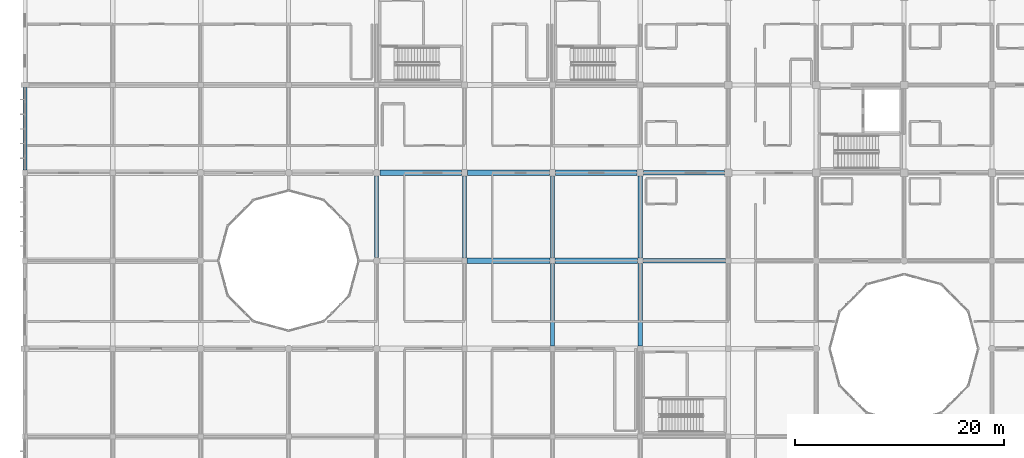
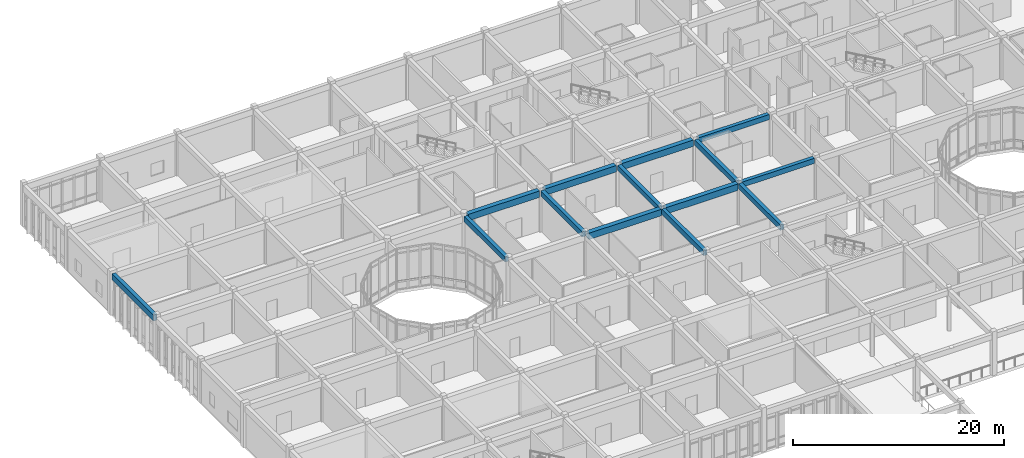
# One storey, part 38 of 134: 14 beams.
"""IFC4 building model written with IfcOpenShell, lengths in metres."""

from ifc_helpers import new_model, si_unit, direction, frame, origin, origin_2d, place, context, subcontext, project, spatial, rectangle, extrude, material, material_profile, profile_set, type_object, element, save


model = new_model("IFC4")

# Units and contexts
model_context = context("Model", 3, precision=1e-05, world=origin(), true_north=direction((0.0, 1.0)))
body_context = subcontext(model_context, "Body", "Model", "MODEL_VIEW")
ifc_project = project(units=[si_unit("LENGTHUNIT", "METRE"), si_unit("AREAUNIT", "SQUARE_METRE"), si_unit("VOLUMEUNIT", "CUBIC_METRE"), si_unit("PLANEANGLEUNIT", "RADIAN"), si_unit("MASSUNIT", "GRAM", prefix="KILO")], contexts=[model_context])

# Site, building, storey
site_placement = place(None, origin())
site = spatial("IfcSite", under=ifc_project, at=site_placement, CompositionType="ELEMENT")
building_placement = place(site_placement, origin())
building = spatial("IfcBuilding", under=site, at=building_placement, Name="Bramfleet General Hospital", CompositionType="ELEMENT")
storey_placement = place(building_placement, frame((0.0, 0.0, 9.300048828125)))
storey = spatial("IfcBuildingStorey", under=building, at=storey_placement, Name="L02", CompositionType="ELEMENT", Elevation=9.300048828125)

# Beams
ifc_material = material(Name="Concrete C35/45", Category="concrete")
ifc_material_profile_1 = material_profile(ifc_material, rectangle(XDim=0.39990234375, YDim=0.60009765625, at=origin_2d()), Name="RC BM 600x400")
ifc_profile_set_1 = profile_set([ifc_material_profile_1], Name="Concrete C35/45")
beam_type_1 = type_object("IfcBeamType", Name="BM-RC600", PredefinedType="BEAM", material=ifc_profile_set_1)
beam_1_placement = place(storey_placement, frame((59.050048828125, 84.0, 4.47998046875), z_axis=(1.0, 0.0, 0.0), x_axis=(0.0, 1.0, 0.0)))
element("IfcBeam", 1, at=beam_1_placement, inside=storey, type_object=beam_type_1, Name="L02 Grid Beam X 07-10", PredefinedType="BEAM", context=body_context, shape_type="SweptSolid", body=[
    extrude(rectangle(XDim=0.39990234375, YDim=0.60009765625, at=origin_2d()), origin(), (0.0, 0.0, 1.0), 7.89990234375),
])
for number, where, z_axis, x_axis, name in (
    (2, (59.10009765625, 92.39990234375, 4.47998046875), (1.0, 0.0, 0.0), (0.0, 1.0, 0.0), "L02 Grid Beam X 07-11"),
    (3, (33.60009765625, 84.324951171875, 4.47998046875), (0.0, 1.0, 0.0), (-1.0, 0.0, 0.0), "L02 Grid Beam Y 04-10"),
):
    element("IfcBeam", number, at=place(storey_placement, frame(where, z_axis=z_axis, x_axis=x_axis)), inside=storey, type_object=beam_type_1, Name=name, PredefinedType="BEAM", context=body_context, shape_type="SweptSolid", body=[
        extrude(rectangle(XDim=0.39990234375, YDim=0.60009765625, at=origin_2d()), origin(), (0.0, 0.0, 1.0), 7.75),
    ])
beam_2_placement = place(storey_placement, frame((42.0, 84.25, 4.47998046875), z_axis=(0.0, 1.0, 0.0), x_axis=(-1.0, 0.0, 0.0)))
element("IfcBeam", 4, at=beam_2_placement, inside=storey, type_object=beam_type_1, Name="L02 Grid Beam Y 05-10", PredefinedType="BEAM", context=body_context, shape_type="SweptSolid", body=[
    extrude(rectangle(XDim=0.39990234375, YDim=0.60009765625, at=origin_2d()), origin(), (0.0, 0.0, 1.0), 7.85009765625),
])
beam_3_placement = place(storey_placement, frame((50.39990234375, 75.85009765625, 4.47998046875), z_axis=(0.0, 1.0, 0.0), x_axis=(-1.0, 0.0, 0.0)))
element("IfcBeam", 5, at=beam_3_placement, inside=storey, type_object=beam_type_1, Name="L02 Grid Beam Y 06-09", PredefinedType="BEAM", context=body_context, shape_type="SweptSolid", body=[
    extrude(rectangle(XDim=0.39990234375, YDim=0.60009765625, at=origin_2d()), origin(), (0.0, 0.0, 1.0), 7.89990234375),
])
beam_4_placement = place(storey_placement, frame((50.39990234375, 84.25, 4.47998046875), z_axis=(0.0, 1.0, 0.0), x_axis=(-1.0, 0.0, 0.0)))
element("IfcBeam", 6, at=beam_4_placement, inside=storey, type_object=beam_type_1, Name="L02 Grid Beam Y 06-10", PredefinedType="BEAM", context=body_context, shape_type="SweptSolid", body=[
    extrude(rectangle(XDim=0.39990234375, YDim=0.60009765625, at=origin_2d()), origin(), (0.0, 0.0, 1.0), 7.85009765625),
])
beam_5_placement = place(storey_placement, frame((58.800048828125, 75.85009765625, 4.47998046875), z_axis=(0.0, 1.0, 0.0), x_axis=(-1.0, 0.0, 0.0)))
element("IfcBeam", 7, at=beam_5_placement, inside=storey, type_object=beam_type_1, Name="L02 Grid Beam Y 07-09", PredefinedType="BEAM", context=body_context, shape_type="SweptSolid", body=[
    extrude(rectangle(XDim=0.39990234375, YDim=0.60009765625, at=origin_2d()), origin(), (0.0, 0.0, 1.0), 7.89990234375),
])
beam_6_placement = place(storey_placement, frame((58.800048828125, 84.25, 4.47998046875), z_axis=(0.0, 1.0, 0.0), x_axis=(-1.0, 0.0, 0.0)))
element("IfcBeam", 8, at=beam_6_placement, inside=storey, type_object=beam_type_1, Name="L02 Grid Beam Y 07-10", PredefinedType="BEAM", context=body_context, shape_type="SweptSolid", body=[
    extrude(rectangle(XDim=0.39990234375, YDim=0.60009765625, at=origin_2d()), origin(), (0.0, 0.0, 1.0), 7.85009765625),
])
ifc_material_profile_2 = material_profile(ifc_material, rectangle(XDim=0.5, YDim=0.75, at=origin_2d()), Name="RC BM 750x500")
ifc_profile_set_2 = profile_set([ifc_material_profile_2], Name="Concrete C35/45")
beam_type_2 = type_object("IfcBeamType", Name="BM-RC750", PredefinedType="BEAM", material=ifc_profile_set_2)
beam_7_placement = place(storey_placement, frame((33.925048828125, 92.39990234375, 4.405029296875), z_axis=(1.0, 0.0, 0.0), x_axis=(0.0, 1.0, 0.0)))
element("IfcBeam", 9, at=beam_7_placement, inside=storey, type_object=beam_type_2, Name="L02 Grid Beam X 04-11", PredefinedType="BEAM", context=body_context, shape_type="SweptSolid", body=[
    extrude(rectangle(XDim=0.5, YDim=0.75, at=origin_2d()), origin(), (0.0, 0.0, 1.0), 7.77490234375),
])
beam_8_placement = place(storey_placement, frame((42.25, 84.0, 4.405029296875), z_axis=(1.0, 0.0, 0.0), x_axis=(0.0, 1.0, 0.0)))
element("IfcBeam", 10, at=beam_8_placement, inside=storey, type_object=beam_type_2, Name="L02 Grid Beam X 05-10", PredefinedType="BEAM", context=body_context, shape_type="SweptSolid", body=[
    extrude(rectangle(XDim=0.5, YDim=0.75, at=origin_2d()), origin(), (0.0, 0.0, 1.0), 7.89990234375),
])
beam_9_placement = place(storey_placement, frame((42.300048828125, 92.39990234375, 4.405029296875), z_axis=(1.0, 0.0, 0.0), x_axis=(0.0, 1.0, 0.0)))
element("IfcBeam", 11, at=beam_9_placement, inside=storey, type_object=beam_type_2, Name="L02 Grid Beam X 05-11", PredefinedType="BEAM", context=body_context, shape_type="SweptSolid", body=[
    extrude(rectangle(XDim=0.5, YDim=0.75, at=origin_2d()), origin(), (0.0, 0.0, 1.0), 7.800048828125),
])
beam_10_placement = place(storey_placement, frame((50.64990234375, 84.0, 4.405029296875), z_axis=(1.0, 0.0, 0.0), x_axis=(0.0, 1.0, 0.0)))
element("IfcBeam", 12, at=beam_10_placement, inside=storey, type_object=beam_type_2, Name="L02 Grid Beam X 06-10", PredefinedType="BEAM", context=body_context, shape_type="SweptSolid", body=[
    extrude(rectangle(XDim=0.5, YDim=0.75, at=origin_2d()), origin(), (0.0, 0.0, 1.0), 7.900146484375),
])
beam_11_placement = place(storey_placement, frame((50.699951171875, 92.39990234375, 4.405029296875), z_axis=(1.0, 0.0, 0.0), x_axis=(0.0, 1.0, 0.0)))
element("IfcBeam", 13, at=beam_11_placement, inside=storey, type_object=beam_type_2, Name="L02 Grid Beam X 06-11", PredefinedType="BEAM", context=body_context, shape_type="SweptSolid", body=[
    extrude(rectangle(XDim=0.5, YDim=0.75, at=origin_2d()), origin(), (0.0, 0.0, 1.0), 7.800048828125),
])
ifc_material_profile_3 = material_profile(ifc_material, rectangle(XDim=0.39990234375, YDim=0.699951171875, at=origin_2d()), Name="RC SP 700x400")
ifc_profile_set_3 = profile_set([ifc_material_profile_3], Name="Concrete C35/45")
beam_type_3 = type_object("IfcBeamType", Name="BM-SP700", PredefinedType="SPANDREL", material=ifc_profile_set_3)
beam_12_placement = place(storey_placement, frame((0.0, 92.64990234375, 4.429931640625), z_axis=(0.0, 1.0, 0.0), x_axis=(-1.0, 0.0, 0.0)))
element("IfcBeam", 14, at=beam_12_placement, inside=storey, type_object=beam_type_3, Name="L02 Grid Beam Y 00-11", PredefinedType="SPANDREL", context=body_context, shape_type="SweptSolid", body=[
    extrude(rectangle(XDim=0.39990234375, YDim=0.699951171875, at=origin_2d()), origin(), (0.0, 0.0, 1.0), 7.900146484375),
])

save(model, "model.ifc")
